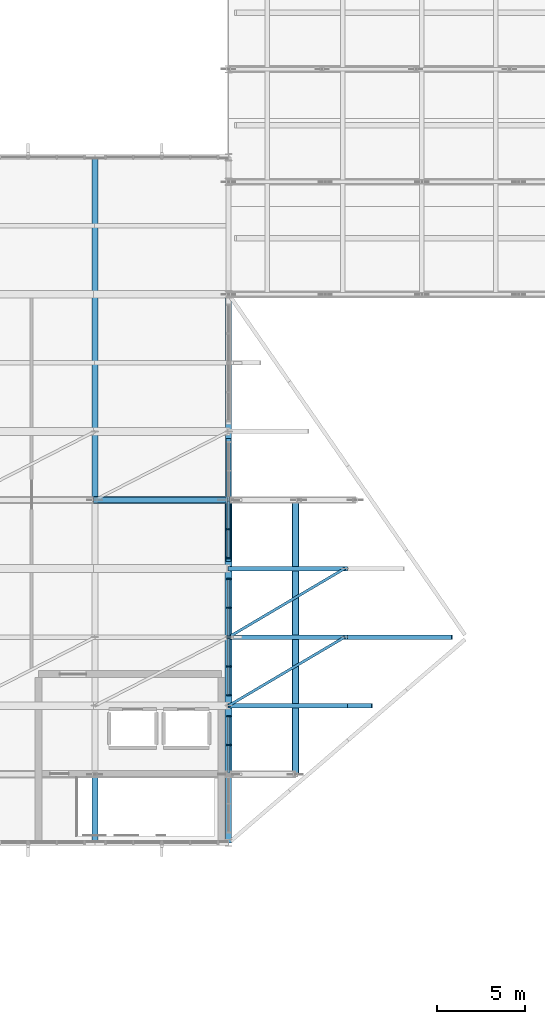
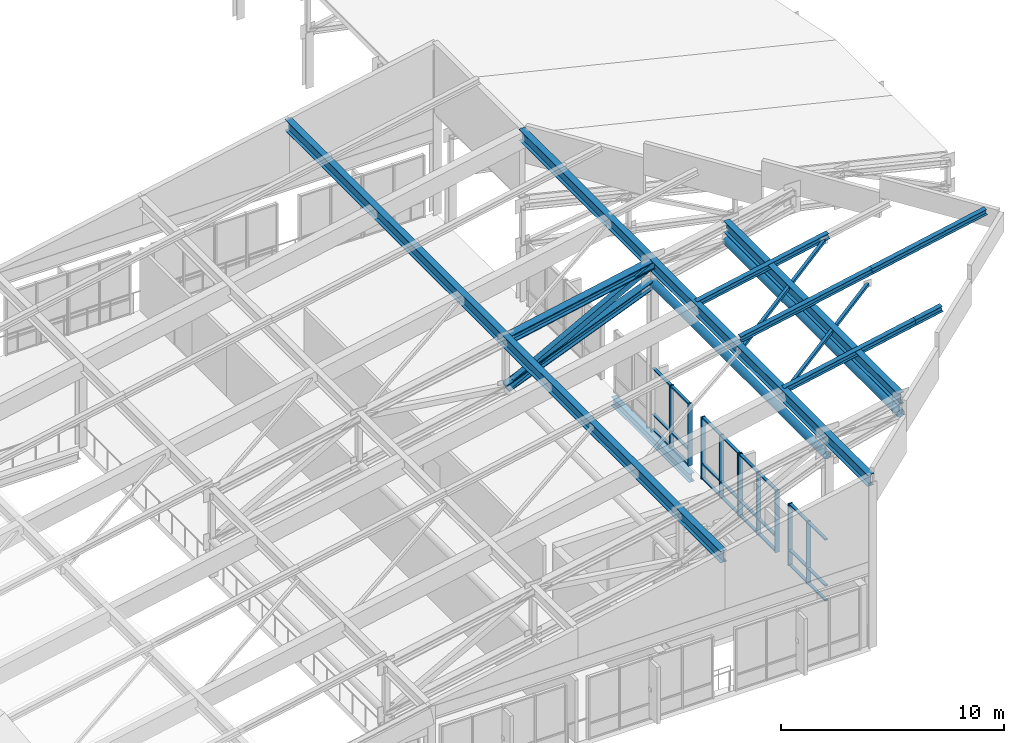
# One storey, part 29 of 73: 49 members, 1 beam, 4 elements without a shape of their own.
"""IFC4 building model written with IfcOpenShell, lengths in metres."""

from ifc_helpers import new_model, si_unit, direction, frame, origin, origin_2d, place, context, subcontext, project, spatial, rectangle, hollow_rectangle, hollow_circle, i_section, extrude, material, material_profile, profile_set, type_object, element, aggregate, save


model = new_model("IFC4")

# Units and contexts
model_context = context("Model", 3, precision=1e-05, world=origin(), true_north=direction((0.0, 1.0)))
body_context = subcontext(model_context, "Body", "Model", "MODEL_VIEW")
ifc_project = project(units=[si_unit("LENGTHUNIT", "METRE"), si_unit("AREAUNIT", "SQUARE_METRE"), si_unit("VOLUMEUNIT", "CUBIC_METRE"), si_unit("PLANEANGLEUNIT", "RADIAN"), si_unit("MASSUNIT", "GRAM", prefix="KILO")], contexts=[model_context])

# Site, building, storey
site_placement = place(None, origin())
site = spatial("IfcSite", under=ifc_project, at=site_placement, CompositionType="ELEMENT")
building_placement = place(site_placement, origin())
building = spatial("IfcBuilding", under=site, at=building_placement, Name="Vervanel Yard Central Library", CompositionType="ELEMENT")
storey_placement = place(building_placement, frame((0.0, 0.0, 12.780029296875)))
storey = spatial("IfcBuildingStorey", under=building, at=storey_placement, Name="L03", CompositionType="ELEMENT", Elevation=12.780029296875)

# Members
ifc_material_1 = material(Name="Steel ASTM A992 Grade 50", Category="steel")
ifc_material_profile_1 = material_profile(ifc_material_1, i_section(OverallWidth=0.4013671875, OverallDepth=0.398681640625, WebThickness=0.02490234375, FlangeThickness=0.03955078125, at=origin_2d()), Name="W14X211", Category="steel")
ifc_profile_set_1 = profile_set([ifc_material_profile_1], Name="Steel ASTM A992 Grade 50")
member_type_1 = type_object("IfcMemberType", Name="Prow Cantilever Truss Bottom Chord W14X211", PredefinedType="CHORD", material=ifc_profile_set_1)
member_1_placement = place(storey_placement, frame((138.39990234375, 62.699951171875, 4.9482421875), z_axis=(0.927342452781, 0.0, 0.374213809567), x_axis=(0.0, 1.0, 0.0)))
element("IfcMember", 1, at=member_1_placement, inside=storey, type_object=member_type_1, Name="Prow Cantilever Truss N Bottom Chord Panel 3", PredefinedType="CHORD", context=body_context, shape_type="SweptSolid", body=[
    extrude(i_section(OverallWidth=0.4013671875, OverallDepth=0.398681640625, WebThickness=0.02490234375, FlangeThickness=0.03955078125, at=origin_2d()), origin(), (0.0, 0.0, 1.0), 8.195556640625),
])
ifc_material_profile_2 = material_profile(ifc_material_1, i_section(OverallWidth=0.406494140625, OverallDepth=0.41650390625, WebThickness=0.030029296875, FlangeThickness=0.048095703125, at=origin_2d()), Name="W14X257", Category="steel")
ifc_profile_set_2 = profile_set([ifc_material_profile_2], Name="Steel ASTM A992 Grade 50")
member_type_2 = type_object("IfcMemberType", Name="Prow Cantilever Truss Top Chord W14X257", PredefinedType="CHORD", material=ifc_profile_set_2)
member_2_placement = place(storey_placement, frame((138.39990234375, 62.699951171875, 7.548095703125), z_axis=(0.980653304953, 0.0, 0.195752638515), x_axis=(0.0, 1.0, 0.0)))
element("IfcMember", 2, at=member_2_placement, inside=storey, type_object=member_type_2, Name="Prow Cantilever Truss N Top Chord Panel 3", PredefinedType="CHORD", context=body_context, shape_type="SweptSolid", body=[
    extrude(i_section(OverallWidth=0.406494140625, OverallDepth=0.41650390625, WebThickness=0.030029296875, FlangeThickness=0.048095703125, at=origin_2d()), origin(), (0.0, 0.0, 1.0), 7.75),
])
ifc_material_2 = material(Name="Steel ASTM A500 Grade C", Category="steel")
ifc_material_profile_3 = material_profile(ifc_material_2, hollow_circle(Radius=0.203125, WallThickness=0.0146484375, at=origin_2d()), Name="HSS16.000X0.625", Category="steel")
ifc_profile_set_3 = profile_set([ifc_material_profile_3], Name="Steel ASTM A500 Grade C")
member_type_3 = type_object("IfcMemberType", Name="Prow Nose Tie Strut HSS16.000X0.625", PredefinedType="BRACE", material=ifc_profile_set_3)
for number, where, z_axis, x_axis, name in (
    (3, (146.0, 47.10009765625, 8.01513671875), (0.0, 1.0, 0.0), (-1.0, 0.0, 0.0), "V3 Prow Truss Transverse Tie X=146.0"),
    (4, (149.800048828125, 47.10009765625, 8.9638671875), (0.0, 1.0, 0.0), (-1.0, 0.0, 0.0), "V3 Prow Truss Transverse Tie X=149.8"),
):
    element("IfcMember", number, at=place(storey_placement, frame(where, z_axis=z_axis, x_axis=x_axis)), inside=storey, type_object=member_type_3, Name=name, PredefinedType="BRACE", context=body_context, shape_type="SweptSolid", body=[
        extrude(hollow_circle(Radius=0.203125, WallThickness=0.0146484375, at=origin_2d()), origin(), (0.0, 0.0, 1.0), 15.599853515625),
    ])
ifc_material_profile_4 = material_profile(ifc_material_2, hollow_rectangle(XDim=0.3046875, YDim=0.3046875, WallThickness=0.0146484375, at=origin_2d()), Name="HSS12X12X5/8", Category="steel")
ifc_profile_set_4 = profile_set([ifc_material_profile_4], Name="Steel ASTM A500 Grade C")
member_type_4 = type_object("IfcMemberType", Name="Prow Truss Web Diagonal HSS12X12X5/8", PredefinedType="BRACE", material=ifc_profile_set_4)
member_3_placement = place(storey_placement, frame((138.39990234375, 62.699951171875, 4.9482421875), z_axis=(0.879281123086, 0.0, 0.476303166675), x_axis=(0.0, 1.0, 0.0)))
element("IfcMember", 5, at=member_3_placement, inside=storey, type_object=member_type_4, Name="Prow Cantilever Truss N Web Diagonal 3", PredefinedType="BRACE", context=body_context, shape_type="SweptSolid", body=[
    extrude(hollow_rectangle(XDim=0.3046875, YDim=0.3046875, WallThickness=0.0146484375, at=origin_2d()), origin(), (0.0, 0.0, 1.0), 8.6435546875),
])

# Curtain wall, members
ifc_material_3 = material(Name="Thermally broken anodized aluminium 6063-T6", Category="aluminium")
curtain_wall_type = type_object("IfcCurtainWallType", Name="Prow Cantilever Glazed Curtain Wall", PredefinedType="NOTDEFINED", material=ifc_material_3)
curtain_wall_1_placement = place(storey_placement, origin())
curtain_wall_1 = element("IfcCurtainWall", 6, at=curtain_wall_1_placement, inside=storey, type_object=curtain_wall_type, Name="L03 Prow Cantilever Glazed Curtain Wall CWR-L03-141", PredefinedType="NOTDEFINED")
ifc_material_profile_5 = material_profile(ifc_material_3, rectangle(XDim=0.070068359375, YDim=0.219970703125, at=origin_2d()), Name="ALU 70x220", Category="aluminium")
ifc_profile_set_5 = profile_set([ifc_material_profile_5], Name="Thermally broken anodized aluminium 6063-T6")
member_type_5 = type_object("IfcMemberType", Name="Reading Hall Deep Mullion 70x220", PredefinedType="MULLION", material=ifc_profile_set_5)
member_4_placement = place(storey_placement, frame((146.0, 48.77001953125, 0.0), z_axis=(0.0, 0.0, 1.0), x_axis=(0.0, 1.0, 0.0)))
member_4 = element("IfcMember", 7, at=member_4_placement, type_object=member_type_5, Name="CWR-L03-141 Mullion 2", PredefinedType="MULLION", context=body_context, shape_type="SweptSolid", body=[
    extrude(rectangle(XDim=0.070068359375, YDim=0.219970703125, at=origin_2d()), origin(), (0.0, 0.0, 1.0), 3.39990234375),
])
member_5_placement = place(storey_placement, frame((146.0, 50.405029296875, 0.0), z_axis=(0.0, 0.0, 1.0), x_axis=(0.0, 1.0, 0.0)))
member_5 = element("IfcMember", 8, at=member_5_placement, type_object=member_type_5, Name="CWR-L03-141 Mullion 3", PredefinedType="MULLION", context=body_context, shape_type="SweptSolid", body=[
    extrude(rectangle(XDim=0.070068359375, YDim=0.219970703125, at=origin_2d()), origin(), (0.0, 0.0, 1.0), 3.39990234375),
])

curtain_wall_2_placement = place(storey_placement, origin())
curtain_wall_2 = element("IfcCurtainWall", 9, at=curtain_wall_2_placement, inside=storey, type_object=curtain_wall_type, Name="L03 Prow Cantilever Glazed Curtain Wall CWR-L03-142", PredefinedType="NOTDEFINED")
member_6_placement = place(storey_placement, frame((146.0, 51.594970703125, 0.0), z_axis=(0.0, 0.0, 1.0), x_axis=(0.0, 1.0, 0.0)))
member_6 = element("IfcMember", 10, at=member_6_placement, type_object=member_type_5, Name="CWR-L03-142 Mullion 1", PredefinedType="MULLION", context=body_context, shape_type="SweptSolid", body=[
    extrude(rectangle(XDim=0.070068359375, YDim=0.219970703125, at=origin_2d()), origin(), (0.0, 0.0, 1.0), 3.39990234375),
])
member_7_placement = place(storey_placement, frame((146.0, 53.22998046875, 0.0), z_axis=(0.0, 0.0, 1.0), x_axis=(0.0, 1.0, 0.0)))
member_7 = element("IfcMember", 11, at=member_7_placement, type_object=member_type_5, Name="CWR-L03-142 Mullion 2", PredefinedType="MULLION", context=body_context, shape_type="SweptSolid", body=[
    extrude(rectangle(XDim=0.070068359375, YDim=0.219970703125, at=origin_2d()), origin(), (0.0, 0.0, 1.0), 3.39990234375),
])
member_8_placement = place(storey_placement, frame((146.0, 54.864990234375, 0.0), z_axis=(0.0, 0.0, 1.0), x_axis=(0.0, 1.0, 0.0)))
member_8 = element("IfcMember", 12, at=member_8_placement, type_object=member_type_5, Name="CWR-L03-142 Mullion 3", PredefinedType="MULLION", context=body_context, shape_type="SweptSolid", body=[
    extrude(rectangle(XDim=0.070068359375, YDim=0.219970703125, at=origin_2d()), origin(), (0.0, 0.0, 1.0), 3.39990234375),
])

curtain_wall_3_placement = place(storey_placement, origin())
curtain_wall_3 = element("IfcCurtainWall", 13, at=curtain_wall_3_placement, inside=storey, type_object=curtain_wall_type, Name="L03 Prow Cantilever Glazed Curtain Wall CWR-L03-143", PredefinedType="NOTDEFINED")
member_9_placement = place(storey_placement, frame((146.0, 54.93505859375, 0.0), z_axis=(0.0, 0.0, 1.0), x_axis=(0.0, 1.0, 0.0)))
member_9 = element("IfcMember", 14, at=member_9_placement, type_object=member_type_5, Name="CWR-L03-143 Mullion 1", PredefinedType="MULLION", context=body_context, shape_type="SweptSolid", body=[
    extrude(rectangle(XDim=0.070068359375, YDim=0.219970703125, at=origin_2d()), origin(), (0.0, 0.0, 1.0), 3.39990234375),
])
member_10_placement = place(storey_placement, frame((146.0, 56.570068359375, 0.0), z_axis=(0.0, 0.0, 1.0), x_axis=(0.0, 1.0, 0.0)))
member_10 = element("IfcMember", 15, at=member_10_placement, type_object=member_type_5, Name="CWR-L03-143 Mullion 2", PredefinedType="MULLION", context=body_context, shape_type="SweptSolid", body=[
    extrude(rectangle(XDim=0.070068359375, YDim=0.219970703125, at=origin_2d()), origin(), (0.0, 0.0, 1.0), 3.39990234375),
])
member_11_placement = place(storey_placement, frame((146.0, 58.205078125, 0.0), z_axis=(0.0, 0.0, 1.0), x_axis=(0.0, 1.0, 0.0)))
member_11 = element("IfcMember", 16, at=member_11_placement, type_object=member_type_5, Name="CWR-L03-143 Mullion 3", PredefinedType="MULLION", context=body_context, shape_type="SweptSolid", body=[
    extrude(rectangle(XDim=0.070068359375, YDim=0.219970703125, at=origin_2d()), origin(), (0.0, 0.0, 1.0), 3.39990234375),
])

curtain_wall_4_placement = place(storey_placement, origin())
curtain_wall_4 = element("IfcCurtainWall", 17, at=curtain_wall_4_placement, inside=storey, type_object=curtain_wall_type, Name="L03 Prow Cantilever Glazed Curtain Wall CWR-L03-144", PredefinedType="NOTDEFINED")
member_12_placement = place(storey_placement, frame((146.0, 59.39501953125, 0.0), z_axis=(0.0, 0.0, 1.0), x_axis=(0.0, 1.0, 0.0)))
member_12 = element("IfcMember", 18, at=member_12_placement, type_object=member_type_5, Name="CWR-L03-144 Mullion 1", PredefinedType="MULLION", context=body_context, shape_type="SweptSolid", body=[
    extrude(rectangle(XDim=0.070068359375, YDim=0.219970703125, at=origin_2d()), origin(), (0.0, 0.0, 1.0), 3.39990234375),
])
member_13_placement = place(storey_placement, frame((146.0, 61.030029296875, 0.0), z_axis=(0.0, 0.0, 1.0), x_axis=(0.0, 1.0, 0.0)))
member_13 = element("IfcMember", 19, at=member_13_placement, type_object=member_type_5, Name="CWR-L03-144 Mullion 2", PredefinedType="MULLION", context=body_context, shape_type="SweptSolid", body=[
    extrude(rectangle(XDim=0.070068359375, YDim=0.219970703125, at=origin_2d()), origin(), (0.0, 0.0, 1.0), 3.39990234375),
])

# Member
ifc_material_profile_6 = material_profile(ifc_material_3, rectangle(XDim=0.070068359375, YDim=0.14990234375, at=origin_2d()), Name="ALU 70x150", Category="aluminium")
ifc_profile_set_6 = profile_set([ifc_material_profile_6], Name="Thermally broken anodized aluminium 6063-T6")
member_type_6 = type_object("IfcMemberType", Name="Reading Hall Deep Transom 70x150", PredefinedType="NOTDEFINED", material=ifc_profile_set_6)
member_14_placement = place(storey_placement, frame((146.0, 47.169921875, 0.034912109375), z_axis=(0.0, 1.0, 0.0), x_axis=(0.0, 0.0, 1.0)))
member_14 = element("IfcMember", 20, at=member_14_placement, type_object=member_type_6, Name="CWR-L03-141 Transom B1-T1", ObjectType="TRANSOM", PredefinedType="USERDEFINED", context=body_context, shape_type="SweptSolid", body=[
    extrude(rectangle(XDim=0.070068359375, YDim=0.14990234375, at=origin_2d()), origin(), (0.0, 0.0, 1.0), 1.565185546875),
])

member_15_placement = place(storey_placement, frame((146.0, 47.169921875, 0.849853515625), z_axis=(0.0, 1.0, 0.0), x_axis=(0.0, 0.0, 1.0)))
member_15 = element("IfcMember", 21, at=member_15_placement, type_object=member_type_6, Name="CWR-L03-141 Transom B1-T2", ObjectType="TRANSOM", PredefinedType="USERDEFINED", context=body_context, shape_type="SweptSolid", body=[
    extrude(rectangle(XDim=0.070068359375, YDim=0.14990234375, at=origin_2d()), origin(), (0.0, 0.0, 1.0), 1.565185546875),
])

member_16_placement = place(storey_placement, frame((146.0, 47.169921875, 3.364990234375), z_axis=(0.0, 1.0, 0.0), x_axis=(0.0, 0.0, 1.0)))
member_16 = element("IfcMember", 22, at=member_16_placement, type_object=member_type_6, Name="CWR-L03-141 Transom B1-T3", ObjectType="TRANSOM", PredefinedType="USERDEFINED", context=body_context, shape_type="SweptSolid", body=[
    extrude(rectangle(XDim=0.070068359375, YDim=0.14990234375, at=origin_2d()), origin(), (0.0, 0.0, 1.0), 1.565185546875),
])

member_17_placement = place(storey_placement, frame((146.0, 48.804931640625, 0.034912109375), z_axis=(0.0, 1.0, 0.0), x_axis=(0.0, 0.0, 1.0)))
member_17 = element("IfcMember", 23, at=member_17_placement, type_object=member_type_6, Name="CWR-L03-141 Transom B2-T1", ObjectType="TRANSOM", PredefinedType="USERDEFINED", context=body_context, shape_type="SweptSolid", body=[
    extrude(rectangle(XDim=0.070068359375, YDim=0.14990234375, at=origin_2d()), origin(), (0.0, 0.0, 1.0), 1.565185546875),
])

member_18_placement = place(storey_placement, frame((146.0, 48.804931640625, 0.849853515625), z_axis=(0.0, 1.0, 0.0), x_axis=(0.0, 0.0, 1.0)))
member_18 = element("IfcMember", 24, at=member_18_placement, type_object=member_type_6, Name="CWR-L03-141 Transom B2-T2", ObjectType="TRANSOM", PredefinedType="USERDEFINED", context=body_context, shape_type="SweptSolid", body=[
    extrude(rectangle(XDim=0.070068359375, YDim=0.14990234375, at=origin_2d()), origin(), (0.0, 0.0, 1.0), 1.565185546875),
])

member_19_placement = place(storey_placement, frame((146.0, 48.804931640625, 3.364990234375), z_axis=(0.0, 1.0, 0.0), x_axis=(0.0, 0.0, 1.0)))
member_19 = element("IfcMember", 25, at=member_19_placement, type_object=member_type_6, Name="CWR-L03-141 Transom B2-T3", ObjectType="TRANSOM", PredefinedType="USERDEFINED", context=body_context, shape_type="SweptSolid", body=[
    extrude(rectangle(XDim=0.070068359375, YDim=0.14990234375, at=origin_2d()), origin(), (0.0, 0.0, 1.0), 1.565185546875),
])

aggregate(curtain_wall_1, [member_4, member_5, member_14, member_15, member_16, member_17, member_18, member_19])

member_20_placement = place(storey_placement, frame((146.0, 51.6298828125, 0.034912109375), z_axis=(0.0, 1.0, 0.0), x_axis=(0.0, 0.0, 1.0)))
member_20 = element("IfcMember", 26, at=member_20_placement, type_object=member_type_6, Name="CWR-L03-142 Transom B1-T1", ObjectType="TRANSOM", PredefinedType="USERDEFINED", context=body_context, shape_type="SweptSolid", body=[
    extrude(rectangle(XDim=0.070068359375, YDim=0.14990234375, at=origin_2d()), origin(), (0.0, 0.0, 1.0), 1.565185546875),
])

member_21_placement = place(storey_placement, frame((146.0, 51.6298828125, 0.849853515625), z_axis=(0.0, 1.0, 0.0), x_axis=(0.0, 0.0, 1.0)))
member_21 = element("IfcMember", 27, at=member_21_placement, type_object=member_type_6, Name="CWR-L03-142 Transom B1-T2", ObjectType="TRANSOM", PredefinedType="USERDEFINED", context=body_context, shape_type="SweptSolid", body=[
    extrude(rectangle(XDim=0.070068359375, YDim=0.14990234375, at=origin_2d()), origin(), (0.0, 0.0, 1.0), 1.565185546875),
])

member_22_placement = place(storey_placement, frame((146.0, 51.6298828125, 3.364990234375), z_axis=(0.0, 1.0, 0.0), x_axis=(0.0, 0.0, 1.0)))
member_22 = element("IfcMember", 28, at=member_22_placement, type_object=member_type_6, Name="CWR-L03-142 Transom B1-T3", ObjectType="TRANSOM", PredefinedType="USERDEFINED", context=body_context, shape_type="SweptSolid", body=[
    extrude(rectangle(XDim=0.070068359375, YDim=0.14990234375, at=origin_2d()), origin(), (0.0, 0.0, 1.0), 1.565185546875),
])

member_23_placement = place(storey_placement, frame((146.0, 53.264892578125, 0.034912109375), z_axis=(0.0, 1.0, 0.0), x_axis=(0.0, 0.0, 1.0)))
member_23 = element("IfcMember", 29, at=member_23_placement, type_object=member_type_6, Name="CWR-L03-142 Transom B2-T1", ObjectType="TRANSOM", PredefinedType="USERDEFINED", context=body_context, shape_type="SweptSolid", body=[
    extrude(rectangle(XDim=0.070068359375, YDim=0.14990234375, at=origin_2d()), origin(), (0.0, 0.0, 1.0), 1.565185546875),
])

member_24_placement = place(storey_placement, frame((146.0, 53.264892578125, 0.849853515625), z_axis=(0.0, 1.0, 0.0), x_axis=(0.0, 0.0, 1.0)))
member_24 = element("IfcMember", 30, at=member_24_placement, type_object=member_type_6, Name="CWR-L03-142 Transom B2-T2", ObjectType="TRANSOM", PredefinedType="USERDEFINED", context=body_context, shape_type="SweptSolid", body=[
    extrude(rectangle(XDim=0.070068359375, YDim=0.14990234375, at=origin_2d()), origin(), (0.0, 0.0, 1.0), 1.565185546875),
])

member_25_placement = place(storey_placement, frame((146.0, 53.264892578125, 3.364990234375), z_axis=(0.0, 1.0, 0.0), x_axis=(0.0, 0.0, 1.0)))
member_25 = element("IfcMember", 31, at=member_25_placement, type_object=member_type_6, Name="CWR-L03-142 Transom B2-T3", ObjectType="TRANSOM", PredefinedType="USERDEFINED", context=body_context, shape_type="SweptSolid", body=[
    extrude(rectangle(XDim=0.070068359375, YDim=0.14990234375, at=origin_2d()), origin(), (0.0, 0.0, 1.0), 1.565185546875),
])

aggregate(curtain_wall_2, [member_6, member_7, member_8, member_20, member_21, member_22, member_23, member_24, member_25])

member_26_placement = place(storey_placement, frame((146.0, 54.969970703125, 0.034912109375), z_axis=(0.0, 1.0, 0.0), x_axis=(0.0, 0.0, 1.0)))
member_26 = element("IfcMember", 32, at=member_26_placement, type_object=member_type_6, Name="CWR-L03-143 Transom B1-T1", ObjectType="TRANSOM", PredefinedType="USERDEFINED", context=body_context, shape_type="SweptSolid", body=[
    extrude(rectangle(XDim=0.070068359375, YDim=0.14990234375, at=origin_2d()), origin(), (0.0, 0.0, 1.0), 1.56494140625),
])

member_27_placement = place(storey_placement, frame((146.0, 54.969970703125, 0.849853515625), z_axis=(0.0, 1.0, 0.0), x_axis=(0.0, 0.0, 1.0)))
member_27 = element("IfcMember", 33, at=member_27_placement, type_object=member_type_6, Name="CWR-L03-143 Transom B1-T2", ObjectType="TRANSOM", PredefinedType="USERDEFINED", context=body_context, shape_type="SweptSolid", body=[
    extrude(rectangle(XDim=0.070068359375, YDim=0.14990234375, at=origin_2d()), origin(), (0.0, 0.0, 1.0), 1.56494140625),
])

member_28_placement = place(storey_placement, frame((146.0, 54.969970703125, 3.364990234375), z_axis=(0.0, 1.0, 0.0), x_axis=(0.0, 0.0, 1.0)))
member_28 = element("IfcMember", 34, at=member_28_placement, type_object=member_type_6, Name="CWR-L03-143 Transom B1-T3", ObjectType="TRANSOM", PredefinedType="USERDEFINED", context=body_context, shape_type="SweptSolid", body=[
    extrude(rectangle(XDim=0.070068359375, YDim=0.14990234375, at=origin_2d()), origin(), (0.0, 0.0, 1.0), 1.56494140625),
])

member_29_placement = place(storey_placement, frame((146.0, 56.60498046875, 0.034912109375), z_axis=(0.0, 1.0, 0.0), x_axis=(0.0, 0.0, 1.0)))
member_29 = element("IfcMember", 35, at=member_29_placement, type_object=member_type_6, Name="CWR-L03-143 Transom B2-T1", ObjectType="TRANSOM", PredefinedType="USERDEFINED", context=body_context, shape_type="SweptSolid", body=[
    extrude(rectangle(XDim=0.070068359375, YDim=0.14990234375, at=origin_2d()), origin(), (0.0, 0.0, 1.0), 1.56494140625),
])

member_30_placement = place(storey_placement, frame((146.0, 56.60498046875, 0.849853515625), z_axis=(0.0, 1.0, 0.0), x_axis=(0.0, 0.0, 1.0)))
member_30 = element("IfcMember", 36, at=member_30_placement, type_object=member_type_6, Name="CWR-L03-143 Transom B2-T2", ObjectType="TRANSOM", PredefinedType="USERDEFINED", context=body_context, shape_type="SweptSolid", body=[
    extrude(rectangle(XDim=0.070068359375, YDim=0.14990234375, at=origin_2d()), origin(), (0.0, 0.0, 1.0), 1.56494140625),
])

member_31_placement = place(storey_placement, frame((146.0, 56.60498046875, 3.364990234375), z_axis=(0.0, 1.0, 0.0), x_axis=(0.0, 0.0, 1.0)))
member_31 = element("IfcMember", 37, at=member_31_placement, type_object=member_type_6, Name="CWR-L03-143 Transom B2-T3", ObjectType="TRANSOM", PredefinedType="USERDEFINED", context=body_context, shape_type="SweptSolid", body=[
    extrude(rectangle(XDim=0.070068359375, YDim=0.14990234375, at=origin_2d()), origin(), (0.0, 0.0, 1.0), 1.56494140625),
])

aggregate(curtain_wall_3, [member_9, member_10, member_11, member_26, member_27, member_28, member_29, member_30, member_31])

member_32_placement = place(storey_placement, frame((146.0, 59.429931640625, 0.034912109375), z_axis=(0.0, 1.0, 0.0), x_axis=(0.0, 0.0, 1.0)))
member_32 = element("IfcMember", 38, at=member_32_placement, type_object=member_type_6, Name="CWR-L03-144 Transom B1-T1", ObjectType="TRANSOM", PredefinedType="USERDEFINED", context=body_context, shape_type="SweptSolid", body=[
    extrude(rectangle(XDim=0.070068359375, YDim=0.14990234375, at=origin_2d()), origin(), (0.0, 0.0, 1.0), 1.565185546875),
])

member_33_placement = place(storey_placement, frame((146.0, 59.429931640625, 0.849853515625), z_axis=(0.0, 1.0, 0.0), x_axis=(0.0, 0.0, 1.0)))
member_33 = element("IfcMember", 39, at=member_33_placement, type_object=member_type_6, Name="CWR-L03-144 Transom B1-T2", ObjectType="TRANSOM", PredefinedType="USERDEFINED", context=body_context, shape_type="SweptSolid", body=[
    extrude(rectangle(XDim=0.070068359375, YDim=0.14990234375, at=origin_2d()), origin(), (0.0, 0.0, 1.0), 1.565185546875),
])

member_34_placement = place(storey_placement, frame((146.0, 59.429931640625, 3.364990234375), z_axis=(0.0, 1.0, 0.0), x_axis=(0.0, 0.0, 1.0)))
member_34 = element("IfcMember", 40, at=member_34_placement, type_object=member_type_6, Name="CWR-L03-144 Transom B1-T3", ObjectType="TRANSOM", PredefinedType="USERDEFINED", context=body_context, shape_type="SweptSolid", body=[
    extrude(rectangle(XDim=0.070068359375, YDim=0.14990234375, at=origin_2d()), origin(), (0.0, 0.0, 1.0), 1.565185546875),
])

member_35_placement = place(storey_placement, frame((146.0, 61.06494140625, 0.034912109375), z_axis=(0.0, 1.0, 0.0), x_axis=(0.0, 0.0, 1.0)))
member_35 = element("IfcMember", 41, at=member_35_placement, type_object=member_type_6, Name="CWR-L03-144 Transom B2-T1", ObjectType="TRANSOM", PredefinedType="USERDEFINED", context=body_context, shape_type="SweptSolid", body=[
    extrude(rectangle(XDim=0.070068359375, YDim=0.14990234375, at=origin_2d()), origin(), (0.0, 0.0, 1.0), 1.56494140625),
])

member_36_placement = place(storey_placement, frame((146.0, 61.06494140625, 0.849853515625), z_axis=(0.0, 1.0, 0.0), x_axis=(0.0, 0.0, 1.0)))
member_36 = element("IfcMember", 42, at=member_36_placement, type_object=member_type_6, Name="CWR-L03-144 Transom B2-T2", ObjectType="TRANSOM", PredefinedType="USERDEFINED", context=body_context, shape_type="SweptSolid", body=[
    extrude(rectangle(XDim=0.070068359375, YDim=0.14990234375, at=origin_2d()), origin(), (0.0, 0.0, 1.0), 1.56494140625),
])

member_37_placement = place(storey_placement, frame((146.0, 61.06494140625, 3.364990234375), z_axis=(0.0, 1.0, 0.0), x_axis=(0.0, 0.0, 1.0)))
member_37 = element("IfcMember", 43, at=member_37_placement, type_object=member_type_6, Name="CWR-L03-144 Transom B2-T3", ObjectType="TRANSOM", PredefinedType="USERDEFINED", context=body_context, shape_type="SweptSolid", body=[
    extrude(rectangle(XDim=0.070068359375, YDim=0.14990234375, at=origin_2d()), origin(), (0.0, 0.0, 1.0), 1.56494140625),
])

aggregate(curtain_wall_4, [member_12, member_13, member_32, member_33, member_34, member_35, member_36, member_37])

# Members
ifc_material_profile_7 = material_profile(ifc_material_2, hollow_rectangle(XDim=0.15234375, YDim=0.15234375, WallThickness=0.0087890625, at=origin_2d()), Name="HSS6X6X3/8", Category="steel")
ifc_profile_set_7 = profile_set([ifc_material_profile_7], Name="Steel ASTM A500 Grade C")
member_type_7 = type_object("IfcMemberType", Name="Roof Diaphragm Plan Brace HSS6X6X3/8", PredefinedType="BRACE", material=ifc_profile_set_7)
member_38_placement = place(storey_placement, frame((146.0, 51.0, 9.025146484375), z_axis=(0.848493934493, 0.501362806451, 0.169391202355), x_axis=(-0.508714291086, 0.860935404107, 0.0)))
element("IfcMember", 44, at=member_38_placement, inside=storey, type_object=member_type_7, Name="Shell Diaphragm Plan Brace B8-2", PredefinedType="BRACE", context=body_context, shape_type="SweptSolid", body=[
    extrude(hollow_rectangle(XDim=0.15234375, YDim=0.15234375, WallThickness=0.0087890625, at=origin_2d()), origin(), (0.0, 0.0, 1.0), 7.778564453125),
])
member_39_placement = place(storey_placement, frame((146.0, 54.89990234375, 9.025146484375), z_axis=(0.848480582607, 0.501386302698, 0.169388536818), x_axis=(-0.50873789537, 0.86092145624, 0.0)))
element("IfcMember", 45, at=member_39_placement, inside=storey, type_object=member_type_7, Name="Shell Diaphragm Plan Brace B8-3", PredefinedType="BRACE", context=body_context, shape_type="SweptSolid", body=[
    extrude(hollow_rectangle(XDim=0.15234375, YDim=0.15234375, WallThickness=0.0087890625, at=origin_2d()), origin(), (0.0, 0.0, 1.0), 7.77880859375),
])
ifc_material_profile_8 = material_profile(ifc_material_1, i_section(OverallWidth=0.25390625, OverallDepth=0.307373046875, WebThickness=0.0087890625, FlangeThickness=0.0146484375, at=origin_2d()), Name="W12X53", Category="steel")
ifc_profile_set_8 = profile_set([ifc_material_profile_8], Name="Steel ASTM A992 Grade 50")
member_type_8 = type_object("IfcMemberType", Name="Shell Roof Purlin W12X53", PredefinedType="PURLIN", material=ifc_profile_set_8)
member_40_placement = place(storey_placement, frame((146.0, 51.0, 9.2353515625), z_axis=(0.980659138835, 0.0, 0.195723410505), x_axis=(0.0, 1.0, 0.0)))
element("IfcMember", 46, at=member_40_placement, inside=storey, type_object=member_type_8, Name="Prow Shell Valley Purlin Bay 8 Y=51.0", PredefinedType="PURLIN", context=body_context, shape_type="SweptSolid", body=[
    extrude(i_section(OverallWidth=0.25390625, OverallDepth=0.307373046875, WebThickness=0.0087890625, FlangeThickness=0.0146484375, at=origin_2d()), origin(), (0.0, 0.0, 1.0), 6.93408203125),
])
member_41_placement = place(storey_placement, frame((146.0, 54.89990234375, 9.6669921875), z_axis=(0.980652380472, 0.0, 0.195757269789), x_axis=(0.0, 1.0, 0.0)))
element("IfcMember", 47, at=member_41_placement, inside=storey, type_object=member_type_8, Name="Shell Ridge Purlin Bay 8 Y=54.9", PredefinedType="PURLIN", context=body_context, shape_type="SweptSolid", body=[
    extrude(i_section(OverallWidth=0.25390625, OverallDepth=0.307373046875, WebThickness=0.0087890625, FlangeThickness=0.0146484375, at=origin_2d()), origin(), (0.0, 0.0, 1.0), 6.934326171875),
])
member_42_placement = place(storey_placement, frame((146.0, 58.800048828125, 9.2353515625), z_axis=(0.980659138835, 0.0, 0.195723410505), x_axis=(0.0, 1.0, 0.0)))
element("IfcMember", 48, at=member_42_placement, inside=storey, type_object=member_type_8, Name="Prow Shell Valley Purlin Bay 8 Y=58.8", PredefinedType="PURLIN", context=body_context, shape_type="SweptSolid", body=[
    extrude(i_section(OverallWidth=0.25390625, OverallDepth=0.307373046875, WebThickness=0.0087890625, FlangeThickness=0.0146484375, at=origin_2d()), origin(), (0.0, 0.0, 1.0), 6.93408203125),
])
member_43_placement = place(storey_placement, frame((152.800048828125, 51.0, 10.592529296875), z_axis=(0.980634538925, 0.0, 0.195846626388), x_axis=(0.0, 1.0, 0.0)))
element("IfcMember", 49, at=member_43_placement, inside=storey, type_object=member_type_8, Name="Prow Shell Valley Purlin Bay 9 Y=51.0", PredefinedType="PURLIN", context=body_context, shape_type="SweptSolid", body=[
    extrude(i_section(OverallWidth=0.25390625, OverallDepth=0.307373046875, WebThickness=0.0087890625, FlangeThickness=0.0146484375, at=origin_2d()), origin(), (0.0, 0.0, 1.0), 1.393798828125),
])
member_44_placement = place(storey_placement, frame((152.800048828125, 54.89990234375, 11.0244140625), z_axis=(0.980652405084, 0.0, 0.195757146492), x_axis=(0.0, 1.0, 0.0)))
element("IfcMember", 50, at=member_44_placement, inside=storey, type_object=member_type_8, Name="Shell Ridge Purlin Bay 9 Y=54.9", PredefinedType="PURLIN", context=body_context, shape_type="SweptSolid", body=[
    extrude(i_section(OverallWidth=0.25390625, OverallDepth=0.307373046875, WebThickness=0.0087890625, FlangeThickness=0.0146484375, at=origin_2d()), origin(), (0.0, 0.0, 1.0), 6.016357421875),
])
ifc_material_profile_9 = material_profile(ifc_material_1, i_section(OverallWidth=0.32763671875, OverallDepth=0.622314453125, WebThickness=0.015380859375, FlangeThickness=0.0244140625, at=origin_2d()), Name="W24X131", Category="steel")
ifc_profile_set_9 = profile_set([ifc_material_profile_9], Name="Steel ASTM A992 Grade 50")
member_type_9 = type_object("IfcMemberType", Name="Shell Transverse Rafter W24X131", PredefinedType="RAFTER", material=ifc_profile_set_9)
member_45_placement = place(storey_placement, frame((138.39990234375, 43.199951171875, 7.50830078125), z_axis=(0.0, 1.0, 0.0), x_axis=(-1.0, 0.0, 0.0)))
element("IfcMember", 51, at=member_45_placement, inside=storey, type_object=member_type_9, Name="V3 Folded Shell Transverse Rafter X=138.4", PredefinedType="RAFTER", context=body_context, shape_type="SweptSolid", body=[
    extrude(i_section(OverallWidth=0.32763671875, OverallDepth=0.622314453125, WebThickness=0.015380859375, FlangeThickness=0.0244140625, at=origin_2d()), origin(), (0.0, 0.0, 1.0), 39.0),
])
member_46_placement = place(storey_placement, frame((146.0, 43.199951171875, 9.025146484375), z_axis=(0.0, 1.0, 0.0), x_axis=(-1.0, 0.0, 0.0)))
element("IfcMember", 52, at=member_46_placement, inside=storey, type_object=member_type_9, Name="V3 Folded Shell Transverse Rafter X=146.0", PredefinedType="RAFTER", context=body_context, shape_type="SweptSolid", body=[
    extrude(i_section(OverallWidth=0.32763671875, OverallDepth=0.622314453125, WebThickness=0.015380859375, FlangeThickness=0.0244140625, at=origin_2d()), origin(), (0.0, 0.0, 1.0), 31.199951171875),
])
member_47_placement = place(storey_placement, frame((149.800048828125, 47.10009765625, 9.78369140625), z_axis=(0.0, 1.0, 0.0), x_axis=(-1.0, 0.0, 0.0)))
element("IfcMember", 53, at=member_47_placement, inside=storey, type_object=member_type_9, Name="V3 Folded Shell Transverse Rafter X=149.8", PredefinedType="RAFTER", context=body_context, shape_type="SweptSolid", body=[
    extrude(i_section(OverallWidth=0.32763671875, OverallDepth=0.622314453125, WebThickness=0.015380859375, FlangeThickness=0.0244140625, at=origin_2d()), origin(), (0.0, 0.0, 1.0), 15.599853515625),
])

# Beam
ifc_material_profile_10 = material_profile(ifc_material_1, i_section(OverallWidth=0.281982421875, OverallDepth=0.46728515625, WebThickness=0.01220703125, FlangeThickness=0.01953125, at=origin_2d()), Name="W18X86", Category="steel")
ifc_profile_set_10 = profile_set([ifc_material_profile_10], Name="Steel ASTM A992 Grade 50")
beam_type = type_object("IfcBeamType", Name="Steel Spandrel Beam W18X86", PredefinedType="SPANDREL", material=ifc_profile_set_10)
beam_placement = place(storey_placement, frame((146.0, 59.199951171875, -0.548828125), z_axis=(0.0, 1.0, 0.0), x_axis=(-1.0, 0.0, 0.0)))
element("IfcBeam", 54, at=beam_placement, inside=storey, type_object=beam_type, Name="L03 Girder SP-02 X=146.0 Y=58.8-66.6", PredefinedType="SPANDREL", context=body_context, shape_type="SweptSolid", body=[
    extrude(i_section(OverallWidth=0.281982421875, OverallDepth=0.46728515625, WebThickness=0.01220703125, FlangeThickness=0.01953125, at=origin_2d()), origin(), (0.0, 0.0, 1.0), 7.0),
])

save(model, "model.ifc")
